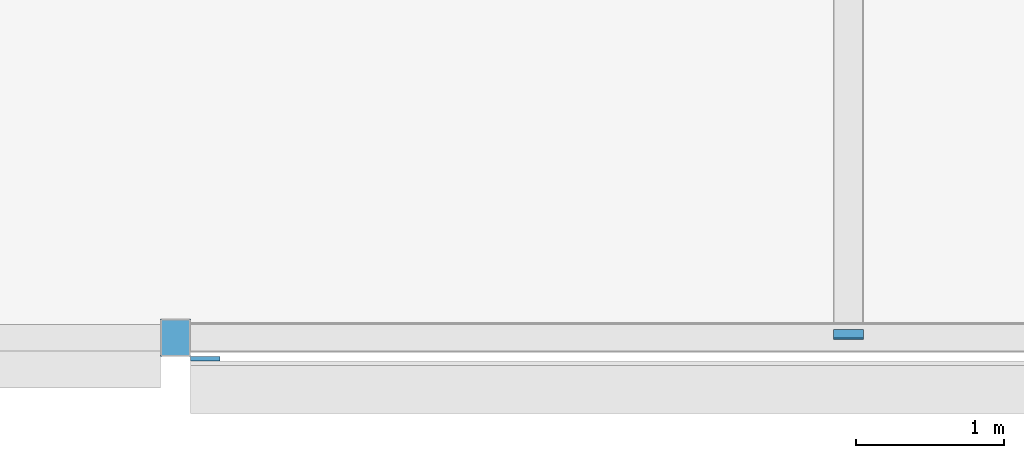
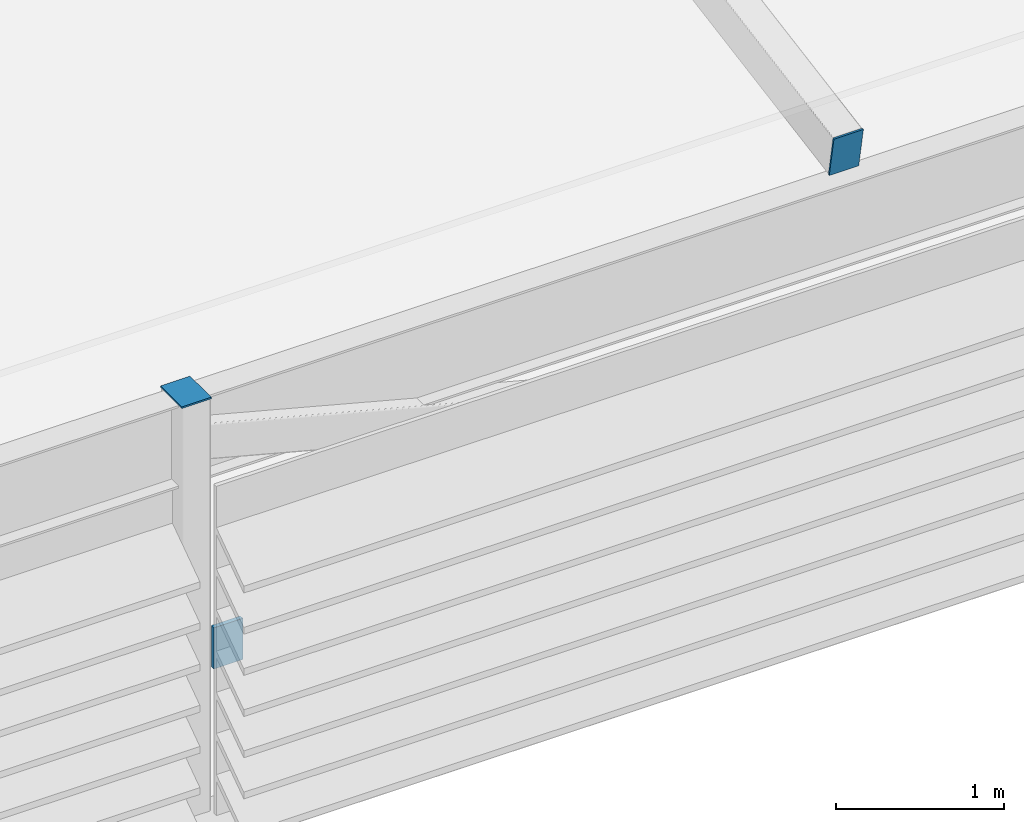
# One storey, part 27 of 46: 3 discrete accessories.
"""IFC4 building model written with IfcOpenShell, lengths in metres."""

import ifcopenshell
import ifcopenshell.guid

model = None  # the IFC model being written
_history = None  # IfcOwnerHistory: only IFC2X3 demands one
_inside = {}  # id of a spatial element -> (the spatial element, [elements in it])
_under = {}  # id of a project, library or spatial element -> (it, [spatial elements below it])
_declared = {}  # id of a project -> (the project, [libraries it declares])
_typed = {}  # id of a type object -> (the type object, [elements of that type])
_made_of = {}  # id of a material, layer set ... -> (it, [elements and type objects made of it])


def new_model(schema):
    """Start an empty IFC model of exactly this schema.

    Asked for "IFC4X3", IfcOpenShell would pick the latest addendum, in which some entities
    have other attributes; the version numbers below select the first issue.
    IFC2X3 requires an IfcOwnerHistory on every rooted entity: one is made here for all.
    """
    global model, _history
    if schema == "IFC4X3":
        model = ifcopenshell.file(schema_version=(4, 3, 0, 0))
    else:
        model = ifcopenshell.file(schema=schema)
    _inside.clear()
    _under.clear()
    _declared.clear()
    _typed.clear()
    _made_of.clear()
    _history = None
    if model.schema == "IFC2X3":
        org = make("IfcOrganization", Name="unknown")
        user = make(
            "IfcPersonAndOrganization",
            ThePerson=make("IfcPerson", FamilyName="unknown"),
            TheOrganization=org,
        )
        app = make(
            "IfcApplication",
            ApplicationDeveloper=org,
            Version="unknown",
            ApplicationFullName="unknown",
            ApplicationIdentifier="unknown",
        )
        _history = make(
            "IfcOwnerHistory",
            OwningUser=user,
            OwningApplication=app,
            ChangeAction="ADDED",
            CreationDate=0,
        )
    return model


def make(cls, **values):
    """One entity of the class cls with the attributes given. An attribute that is None is left unset."""
    return model.create_entity(
        cls, **{name: value for name, value in values.items() if value is not None}
    )


def rooted(cls, **values):
    """An entity with a GlobalId (a new one), such as an element, a storey or a relation."""
    return make(cls, GlobalId=ifcopenshell.guid.new(), OwnerHistory=_history, **values)


def si_unit(unit_type, name, prefix=None):
    """IfcSIUnit, for example si_unit("LENGTHUNIT", "METRE", prefix="MILLI")."""
    return make("IfcSIUnit", UnitType=unit_type, Prefix=prefix, Name=name)


def assignment(units):
    """IfcUnitAssignment: the units of a project."""
    return None if units is None else make("IfcUnitAssignment", Units=units)


def point(xyz):
    """IfcCartesianPoint."""
    return None if xyz is None else make("IfcCartesianPoint", Coordinates=xyz)


def direction(xyz):
    """IfcDirection."""
    return None if xyz is None else make("IfcDirection", DirectionRatios=xyz)


def frame(location, z_axis=None, x_axis=None):
    """IfcAxis2Placement3D, a coordinate frame: its origin and axes. An axis left out is left unset."""
    return make(
        "IfcAxis2Placement3D",
        Location=point(location),
        Axis=direction(z_axis),
        RefDirection=direction(x_axis),
    )


def frame_2d(location, x_axis=None):
    """IfcAxis2Placement2D, a coordinate frame in the plane: its origin and x axis."""
    return make(
        "IfcAxis2Placement2D", Location=point(location), RefDirection=direction(x_axis)
    )


def origin():
    """The frame at (0, 0, 0) with its axes left unset."""
    return frame((0.0, 0.0, 0.0))


def origin_2d():
    """The frame at (0, 0) in the plane with its x axis left unset."""
    return frame_2d((0.0, 0.0))


def place(relative_to, where):
    """IfcLocalPlacement: puts the frame where relative to a parent placement (None: the world)."""
    return make(
        "IfcLocalPlacement", PlacementRelTo=relative_to, RelativePlacement=where
    )


def context(
    kind, dimensions, precision=None, world=None, true_north=None, identifier=None
):
    """IfcGeometricRepresentationContext, for example the 3D "Model" context."""
    return make(
        "IfcGeometricRepresentationContext",
        ContextIdentifier=identifier,
        ContextType=kind,
        CoordinateSpaceDimension=dimensions,
        Precision=precision,
        WorldCoordinateSystem=world,
        TrueNorth=true_north,
    )


def subcontext(parent, identifier, kind, view, scale=None):
    """IfcGeometricRepresentationSubContext, for example "Body" below "Model"."""
    return make(
        "IfcGeometricRepresentationSubContext",
        ContextIdentifier=identifier,
        ContextType=kind,
        ParentContext=parent,
        TargetScale=scale,
        TargetView=view,
    )


def project(units=None, contexts=None):
    """IfcProject with its units and contexts."""
    return rooted(
        "IfcProject",
        Name="project",
        RepresentationContexts=contexts,
        UnitsInContext=assignment(units),
    )


def spatial(cls, under=None, at=None, **own):
    """A site, building, storey or space (cls), placed at a placement, below another one or the project."""
    s = rooted(cls, ObjectPlacement=at, **own)
    if under is not None:
        _under.setdefault(under.id(), (under, []))[1].append(s)
    return s


def profile(cls, at=None, kind="AREA", **sizes):
    """A parametric profile (cls). Its sizes go by their IFC names, for example OverallWidth=200.0."""
    return make(cls, ProfileType=kind, Position=at, **sizes)


def rectangle(**sizes):
    """IfcRectangleProfileDef."""
    return profile("IfcRectangleProfileDef", **sizes)


def extrude(swept, where, along, depth):
    """IfcExtrudedAreaSolid: the profile swept, set in the frame where, extruded along a direction by depth."""
    return make(
        "IfcExtrudedAreaSolid",
        SweptArea=swept,
        Position=where,
        ExtrudedDirection=direction(along),
        Depth=depth,
    )


def shape(context_of_items, identifier, shape_type, items):
    """IfcShapeRepresentation: the items that make up one representation, for example the "Body"."""
    return make(
        "IfcShapeRepresentation",
        ContextOfItems=context_of_items,
        RepresentationIdentifier=identifier,
        RepresentationType=shape_type,
        Items=items,
    )


def material(Name=None, Category=None):
    """IfcMaterial."""
    return make("IfcMaterial", Name=Name, Category=Category)


def made_of(thing, what):
    """Note that an element or type object is made of a material, layer set ...; save() writes the relation."""
    if what is not None:
        _made_of.setdefault(what.id(), (what, []))[1].append(thing)
    return thing


def type_object(cls, material=None, **own):
    """A type object (cls), such as IfcWallType, which elements share."""
    return made_of(rooted(cls, **own), material)


def element(
    cls,
    number,
    at=None,
    inside=None,
    cuts=None,
    type_object=None,
    material=None,
    context=None,
    identifier="Body",
    shape_type=None,
    held_by="IfcProductDefinitionShape",
    body=None,
    shapes=None,
    **own,
):
    """One element of the class cls, such as IfcWall. Its Tag is "e" and its number.

    at: its placement. inside: the storey or other place that contains it. cuts: it is an
    opening in that element (IfcRelVoidsElement). A single representation is given by context,
    identifier, shape_type and body (its items); several are given by shapes. held_by: the class
    of the entity that holds the representations. save() writes the other relations.
    """
    e = rooted(cls, Tag="e%d" % number, ObjectPlacement=at, **own)
    if body is not None:
        shapes = [shape(context, identifier, shape_type, body)]
    if shapes is not None:
        e.Representation = make(held_by, Representations=shapes)
    if inside is not None:
        _inside.setdefault(inside.id(), (inside, []))[1].append(e)
    if cuts is not None:
        rooted(
            "IfcRelVoidsElement", RelatingBuildingElement=cuts, RelatedOpeningElement=e
        )
    if type_object is not None:
        _typed.setdefault(type_object.id(), (type_object, []))[1].append(e)
    return made_of(e, material)


def aggregate(whole, parts):
    """IfcRelAggregates: a whole, such as a stair, and the parts it consists of."""
    return rooted("IfcRelAggregates", RelatingObject=whole, RelatedObjects=parts)


def save(model, path):
    """Write the relations noted so far, then the file.

    IfcRelAggregates (storeys below a building ...), IfcRelContainedInSpatialStructure (elements
    in a storey), IfcRelDefinesByType, IfcRelAssociatesMaterial and IfcRelDeclares: one each for
    every whole, place, type object, material and project.
    """
    for whole, parts in _under.values():
        aggregate(whole, parts)
    for where, things in _inside.values():
        rooted(
            "IfcRelContainedInSpatialStructure",
            RelatedElements=things,
            RelatingStructure=where,
        )
    for kind, things in _typed.values():
        rooted("IfcRelDefinesByType", RelatedObjects=things, RelatingType=kind)
    for what, things in _made_of.values():
        rooted("IfcRelAssociatesMaterial", RelatedObjects=things, RelatingMaterial=what)
    for by, libraries in _declared.values():
        rooted("IfcRelDeclares", RelatingContext=by, RelatedDefinitions=libraries)
    model.write(path)


model = new_model("IFC4")

# Units and contexts
model_context = context("Model", 3, precision=1e-05, world=origin(), true_north=direction((0.0, 1.0)))
body_context = subcontext(model_context, "Body", "Model", "MODEL_VIEW")
ifc_project = project(units=[si_unit("LENGTHUNIT", "METRE"), si_unit("AREAUNIT", "SQUARE_METRE"), si_unit("VOLUMEUNIT", "CUBIC_METRE"), si_unit("PLANEANGLEUNIT", "RADIAN"), si_unit("MASSUNIT", "GRAM", prefix="KILO")], contexts=[model_context])

# Site, building, storey
site_placement = place(None, origin())
site = spatial("IfcSite", under=ifc_project, at=site_placement, CompositionType="ELEMENT")
building_placement = place(site_placement, origin())
building = spatial("IfcBuilding", under=site, at=building_placement, Name="Madar Terraces", CompositionType="ELEMENT")
storey_placement = place(building_placement, frame((0.0, 0.0, 317.300048828125)))
storey = spatial("IfcBuildingStorey", under=building, at=storey_placement, Name="L82", CompositionType="ELEMENT", Elevation=317.300048828125)

# Discrete accessories
ifc_material_1 = material(Name="Steel plate ASTM A36, galvanised", Category="steel")
discrete_accessory_type_1 = type_object("IfcDiscreteAccessoryType", Name="Hollow section end plate", PredefinedType="BRACKET", material=ifc_material_1)
discrete_accessory_1_placement = place(storey_placement, frame((28.800048828125, 1.226318359375, 3.150146484375), z_axis=(0.0, -0.982872186934, -0.18428853505), x_axis=(1.0, 0.0, 0.0)))
element("IfcDiscreteAccessory", 1, at=discrete_accessory_1_placement, inside=storey, type_object=discrete_accessory_type_1, Name="Hollow section end plate", PredefinedType="BRACKET", context=body_context, shape_type="SweptSolid", body=[
    extrude(rectangle(XDim=0.203125, YDim=0.3046875, at=origin_2d()), origin(), (0.0, 0.0, 1.0), 0.011962890625),
])
discrete_accessory_2_placement = place(storey_placement, frame((24.239990234375, 1.199951171875, 3.0), z_axis=(0.0, 0.0, 1.0), x_axis=(1.0, 0.0, 0.0)))
element("IfcDiscreteAccessory", 2, at=discrete_accessory_2_placement, inside=storey, type_object=discrete_accessory_type_1, Name="Hollow section end plate", PredefinedType="BRACKET", context=body_context, shape_type="SweptSolid", body=[
    extrude(rectangle(XDim=0.203125, YDim=0.25390625, at=origin_2d()), origin(), (0.0, 0.0, 1.0), 0.011962890625),
])
ifc_material_2 = material(Name="Steel, galvanised", Category="steel")
discrete_accessory_type_2 = type_object("IfcDiscreteAccessoryType", Name="Louvre bank bracket", PredefinedType="BRACKET", material=ifc_material_2)
discrete_accessory_3_placement = place(storey_placement, frame((24.441650390625, 1.05810546875, 1.048828125), z_axis=(0.0, 0.0, 1.0), x_axis=(1.0, 0.0, 0.0)))
element("IfcDiscreteAccessory", 3, at=discrete_accessory_3_placement, inside=storey, type_object=discrete_accessory_type_2, Name="Louvre bank bracket", PredefinedType="BRACKET", context=body_context, shape_type="SweptSolid", body=[
    extrude(rectangle(XDim=0.199951171875, YDim=0.030029296875, at=origin_2d()), origin(), (0.0, 0.0, 1.0), 0.300048828125),
])

save(model, "model.ifc")
